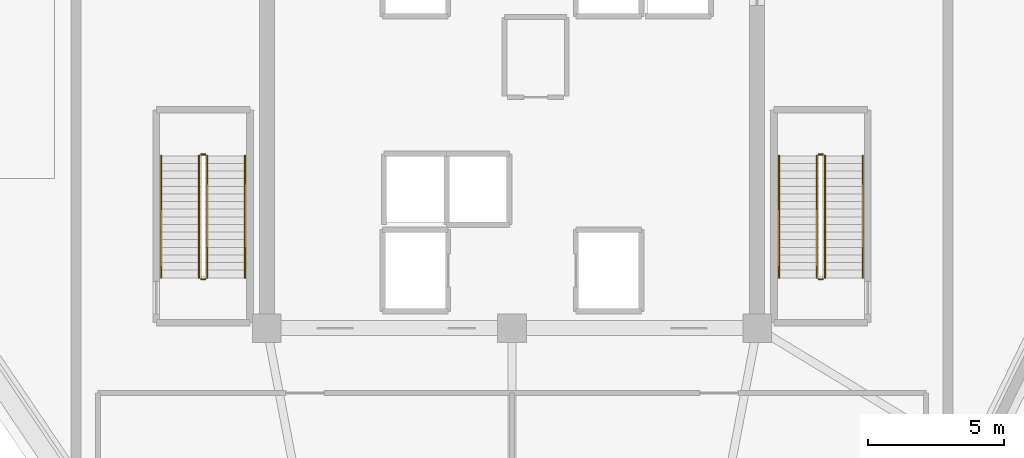
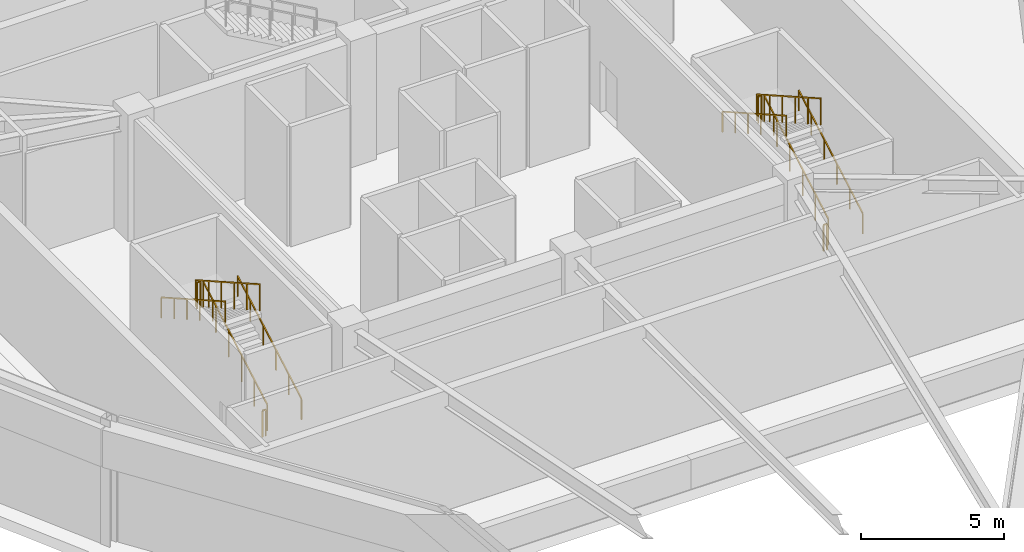
# One storey, part 7 of 8: 12 railings.
"""IFC4 building model written with IfcOpenShell, lengths in metres."""

from ifc_helpers import new_model, si_unit, direction, frame, origin, origin_2d, place, context, subcontext, project, spatial, rectangle, extrude, material, type_object, element, save


model = new_model("IFC4")

# Units and contexts
model_context = context("Model", 3, precision=1e-05, world=origin(), true_north=direction((0.0, 1.0)))
body_context = subcontext(model_context, "Body", "Model", "MODEL_VIEW")
ifc_project = project(units=[si_unit("LENGTHUNIT", "METRE"), si_unit("AREAUNIT", "SQUARE_METRE"), si_unit("VOLUMEUNIT", "CUBIC_METRE"), si_unit("PLANEANGLEUNIT", "RADIAN"), si_unit("MASSUNIT", "GRAM", prefix="KILO")], contexts=[model_context])

# Site, building, storey
site_placement = place(None, origin())
site = spatial("IfcSite", under=ifc_project, at=site_placement, CompositionType="ELEMENT")
building_placement = place(site_placement, origin())
building = spatial("IfcBuilding", under=site, at=building_placement, Name="Liaohun Quay Tower", CompositionType="ELEMENT")
storey_placement = place(building_placement, frame((0.0, 0.0, 360.60009765625)))
storey = spatial("IfcBuildingStorey", under=building, at=storey_placement, Name="L93", CompositionType="ELEMENT", Elevation=360.60009765625)

# Railings
ifc_material_1 = material(Name="Painted tubular steel", Category="steel")
railing_type_1 = type_object("IfcRailingType", Name="RLG-GUARD-STR", PredefinedType="GUARDRAIL", material=ifc_material_1)
railing_1_placement = place(storey_placement, frame((48.81005859375, 48.35009765625, 0.15869140625)))
element("IfcRailing", 1, at=railing_1_placement, inside=storey, type_object=railing_type_1, Name="L93 ST-1 stair guard 1", PredefinedType="GUARDRAIL", context=body_context, shape_type="SweptSolid", body=[
    extrude(rectangle(XDim=0.048095703125, YDim=0.048095703125, at=origin_2d()), frame((0.0, 0.0, 1.1259765625), z_axis=(0.0, 0.869805229919, 0.49339523914), x_axis=(-1.0, 0.0, 0.0)), (0.0, 0.0, 1.0), 5.150634765625),
    extrude(rectangle(XDim=0.0419921875, YDim=0.0419921875, at=origin_2d()), origin(), (0.0, 0.0, 1.0), 1.101806640625),
    extrude(rectangle(XDim=0.0419921875, YDim=0.0419921875, at=origin_2d()), frame((0.0, 0.89599609375, 0.50830078125)), (0.0, 0.0, 1.0), 1.101806640625),
    extrude(rectangle(XDim=0.0419921875, YDim=0.0419921875, at=origin_2d()), frame((0.0, 1.7919921875, 1.0166015625)), (0.0, 0.0, 1.0), 1.101806640625),
    extrude(rectangle(XDim=0.0419921875, YDim=0.0419921875, at=origin_2d()), frame((0.0, 2.68798828125, 1.524658203125)), (0.0, 0.0, 1.0), 1.101806640625),
    extrude(rectangle(XDim=0.0419921875, YDim=0.0419921875, at=origin_2d()), frame((0.0, 3.583984375, 2.032958984375)), (0.0, 0.0, 1.0), 1.101806640625),
    extrude(rectangle(XDim=0.0419921875, YDim=0.0419921875, at=origin_2d()), frame((0.0, 4.47998046875, 2.541259765625)), (0.0, 0.0, 1.0), 1.101806640625),
])
railing_2_placement = place(storey_placement, frame((48.72998046875, 52.8798828125, 2.699951171875)))
element("IfcRailing", 2, at=railing_2_placement, inside=storey, type_object=railing_type_1, Name="L93 ST-1 stair guard 2", PredefinedType="GUARDRAIL", context=body_context, shape_type="SweptSolid", body=[
    extrude(rectangle(XDim=0.048095703125, YDim=0.048095703125, at=origin_2d()), frame((0.0, 0.0, 1.1259765625), z_axis=(-1.0, 0.0, 0.0), x_axis=(0.0, -1.0, 0.0)), (0.0, 0.0, 1.0), 0.139892578125),
    extrude(rectangle(XDim=0.0419921875, YDim=0.0419921875, at=origin_2d()), origin(), (0.0, 0.0, 1.0), 1.101806640625),
    extrude(rectangle(XDim=0.0419921875, YDim=0.0419921875, at=origin_2d()), frame((-0.139892578125, 0.0, 0.0)), (0.0, 0.0, 1.0), 1.101806640625),
])
railing_3_placement = place(storey_placement, frame((48.510009765625, 52.830078125, 2.858642578125)))
element("IfcRailing", 3, at=railing_3_placement, inside=storey, type_object=railing_type_1, Name="L93 ST-1 stair guard 3", PredefinedType="GUARDRAIL", context=body_context, shape_type="SweptSolid", body=[
    extrude(rectangle(XDim=0.048095703125, YDim=0.048095703125, at=origin_2d()), frame((0.0, 0.0, 1.1259765625), z_axis=(0.0, -0.869805229919, 0.49339523914), x_axis=(1.0, 0.0, 0.0)), (0.0, 0.0, 1.0), 5.150634765625),
    extrude(rectangle(XDim=0.0419921875, YDim=0.0419921875, at=origin_2d()), origin(), (0.0, 0.0, 1.0), 1.101806640625),
    extrude(rectangle(XDim=0.0419921875, YDim=0.0419921875, at=origin_2d()), frame((0.0, -0.89599609375, 0.50830078125)), (0.0, 0.0, 1.0), 1.101806640625),
    extrude(rectangle(XDim=0.0419921875, YDim=0.0419921875, at=origin_2d()), frame((0.0, -1.7919921875, 1.0166015625)), (0.0, 0.0, 1.0), 1.101806640625),
    extrude(rectangle(XDim=0.0419921875, YDim=0.0419921875, at=origin_2d()), frame((0.0, -2.68798828125, 1.524658203125)), (0.0, 0.0, 1.0), 1.101806640625),
    extrude(rectangle(XDim=0.0419921875, YDim=0.0419921875, at=origin_2d()), frame((0.0, -3.583984375, 2.032958984375)), (0.0, 0.0, 1.0), 1.101806640625),
    extrude(rectangle(XDim=0.0419921875, YDim=0.0419921875, at=origin_2d()), frame((0.0, -4.47998046875, 2.541259765625)), (0.0, 0.0, 1.0), 1.101806640625),
])
railing_4_placement = place(storey_placement, frame((48.72998046875, 48.300048828125, 0.0)))
element("IfcRailing", 4, at=railing_4_placement, inside=storey, type_object=railing_type_1, Name="L93 ST-1 stair guard 4", PredefinedType="GUARDRAIL", context=body_context, shape_type="SweptSolid", body=[
    extrude(rectangle(XDim=0.048095703125, YDim=0.048095703125, at=origin_2d()), frame((0.0, 0.0, 1.1259765625), z_axis=(-1.0, 0.0, 0.0), x_axis=(0.0, -1.0, 0.0)), (0.0, 0.0, 1.0), 0.139892578125),
    extrude(rectangle(XDim=0.0419921875, YDim=0.0419921875, at=origin_2d()), origin(), (0.0, 0.0, 1.0), 1.101806640625),
    extrude(rectangle(XDim=0.0419921875, YDim=0.0419921875, at=origin_2d()), frame((-0.139892578125, 0.0, 0.0)), (0.0, 0.0, 1.0), 1.101806640625),
])
railing_5_placement = place(storey_placement, frame((71.489990234375, 48.35009765625, 0.15869140625)))
element("IfcRailing", 5, at=railing_5_placement, inside=storey, type_object=railing_type_1, Name="L93 ST-2 stair guard 1", PredefinedType="GUARDRAIL", context=body_context, shape_type="SweptSolid", body=[
    extrude(rectangle(XDim=0.048095703125, YDim=0.048095703125, at=origin_2d()), frame((0.0, 0.0, 1.1259765625), z_axis=(0.0, 0.869805229919, 0.49339523914), x_axis=(-1.0, 0.0, 0.0)), (0.0, 0.0, 1.0), 5.150634765625),
    extrude(rectangle(XDim=0.0419921875, YDim=0.0419921875, at=origin_2d()), origin(), (0.0, 0.0, 1.0), 1.101806640625),
    extrude(rectangle(XDim=0.0419921875, YDim=0.0419921875, at=origin_2d()), frame((0.0, 0.89599609375, 0.50830078125)), (0.0, 0.0, 1.0), 1.101806640625),
    extrude(rectangle(XDim=0.0419921875, YDim=0.0419921875, at=origin_2d()), frame((0.0, 1.7919921875, 1.0166015625)), (0.0, 0.0, 1.0), 1.101806640625),
    extrude(rectangle(XDim=0.0419921875, YDim=0.0419921875, at=origin_2d()), frame((0.0, 2.68798828125, 1.524658203125)), (0.0, 0.0, 1.0), 1.101806640625),
    extrude(rectangle(XDim=0.0419921875, YDim=0.0419921875, at=origin_2d()), frame((0.0, 3.583984375, 2.032958984375)), (0.0, 0.0, 1.0), 1.101806640625),
    extrude(rectangle(XDim=0.0419921875, YDim=0.0419921875, at=origin_2d()), frame((0.0, 4.47998046875, 2.541259765625)), (0.0, 0.0, 1.0), 1.101806640625),
])
railing_6_placement = place(storey_placement, frame((71.409912109375, 52.8798828125, 2.699951171875)))
element("IfcRailing", 6, at=railing_6_placement, inside=storey, type_object=railing_type_1, Name="L93 ST-2 stair guard 2", PredefinedType="GUARDRAIL", context=body_context, shape_type="SweptSolid", body=[
    extrude(rectangle(XDim=0.048095703125, YDim=0.048095703125, at=origin_2d()), frame((0.0, 0.0, 1.1259765625), z_axis=(-1.0, 0.0, 0.0), x_axis=(0.0, -1.0, 0.0)), (0.0, 0.0, 1.0), 0.139892578125),
    extrude(rectangle(XDim=0.0419921875, YDim=0.0419921875, at=origin_2d()), origin(), (0.0, 0.0, 1.0), 1.101806640625),
    extrude(rectangle(XDim=0.0419921875, YDim=0.0419921875, at=origin_2d()), frame((-0.139892578125, 0.0, 0.0)), (0.0, 0.0, 1.0), 1.101806640625),
])
railing_7_placement = place(storey_placement, frame((71.18994140625, 52.830078125, 2.858642578125)))
element("IfcRailing", 7, at=railing_7_placement, inside=storey, type_object=railing_type_1, Name="L93 ST-2 stair guard 3", PredefinedType="GUARDRAIL", context=body_context, shape_type="SweptSolid", body=[
    extrude(rectangle(XDim=0.048095703125, YDim=0.048095703125, at=origin_2d()), frame((0.0, 0.0, 1.1259765625), z_axis=(0.0, -0.869805229919, 0.49339523914), x_axis=(1.0, 0.0, 0.0)), (0.0, 0.0, 1.0), 5.150634765625),
    extrude(rectangle(XDim=0.0419921875, YDim=0.0419921875, at=origin_2d()), origin(), (0.0, 0.0, 1.0), 1.101806640625),
    extrude(rectangle(XDim=0.0419921875, YDim=0.0419921875, at=origin_2d()), frame((0.0, -0.89599609375, 0.50830078125)), (0.0, 0.0, 1.0), 1.101806640625),
    extrude(rectangle(XDim=0.0419921875, YDim=0.0419921875, at=origin_2d()), frame((0.0, -1.7919921875, 1.0166015625)), (0.0, 0.0, 1.0), 1.101806640625),
    extrude(rectangle(XDim=0.0419921875, YDim=0.0419921875, at=origin_2d()), frame((0.0, -2.68798828125, 1.524658203125)), (0.0, 0.0, 1.0), 1.101806640625),
    extrude(rectangle(XDim=0.0419921875, YDim=0.0419921875, at=origin_2d()), frame((0.0, -3.583984375, 2.032958984375)), (0.0, 0.0, 1.0), 1.101806640625),
    extrude(rectangle(XDim=0.0419921875, YDim=0.0419921875, at=origin_2d()), frame((0.0, -4.47998046875, 2.541259765625)), (0.0, 0.0, 1.0), 1.101806640625),
])
railing_8_placement = place(storey_placement, frame((71.409912109375, 48.300048828125, 0.0)))
element("IfcRailing", 8, at=railing_8_placement, inside=storey, type_object=railing_type_1, Name="L93 ST-2 stair guard 4", PredefinedType="GUARDRAIL", context=body_context, shape_type="SweptSolid", body=[
    extrude(rectangle(XDim=0.048095703125, YDim=0.048095703125, at=origin_2d()), frame((0.0, 0.0, 1.1259765625), z_axis=(-1.0, 0.0, 0.0), x_axis=(0.0, -1.0, 0.0)), (0.0, 0.0, 1.0), 0.139892578125),
    extrude(rectangle(XDim=0.0419921875, YDim=0.0419921875, at=origin_2d()), origin(), (0.0, 0.0, 1.0), 1.101806640625),
    extrude(rectangle(XDim=0.0419921875, YDim=0.0419921875, at=origin_2d()), frame((-0.139892578125, 0.0, 0.0)), (0.0, 0.0, 1.0), 1.101806640625),
])
ifc_material_2 = material(Name="Brushed stainless steel", Category="steel")
railing_type_2 = type_object("IfcRailingType", Name="RLG-HND-STR", PredefinedType="HANDRAIL", material=ifc_material_2)
railing_9_placement = place(storey_placement, frame((50.199951171875, 48.35009765625, 0.15869140625)))
element("IfcRailing", 9, at=railing_9_placement, inside=storey, type_object=railing_type_2, Name="L93 ST-1 stair handrail 1", PredefinedType="HANDRAIL", context=body_context, shape_type="SweptSolid", body=[
    extrude(rectangle(XDim=0.048095703125, YDim=0.048095703125, at=origin_2d()), frame((0.0, 0.0, 0.8759765625), z_axis=(0.0, 0.869805229919, 0.49339523914), x_axis=(-1.0, 0.0, 0.0)), (0.0, 0.0, 1.0), 5.150634765625),
    extrude(rectangle(XDim=0.0419921875, YDim=0.0419921875, at=origin_2d()), origin(), (0.0, 0.0, 1.0), 0.851806640625),
    extrude(rectangle(XDim=0.0419921875, YDim=0.0419921875, at=origin_2d()), frame((0.0, 0.89599609375, 0.50830078125)), (0.0, 0.0, 1.0), 0.851806640625),
    extrude(rectangle(XDim=0.0419921875, YDim=0.0419921875, at=origin_2d()), frame((0.0, 1.7919921875, 1.0166015625)), (0.0, 0.0, 1.0), 0.851806640625),
    extrude(rectangle(XDim=0.0419921875, YDim=0.0419921875, at=origin_2d()), frame((0.0, 2.68798828125, 1.524658203125)), (0.0, 0.0, 1.0), 0.851806640625),
    extrude(rectangle(XDim=0.0419921875, YDim=0.0419921875, at=origin_2d()), frame((0.0, 3.583984375, 2.032958984375)), (0.0, 0.0, 1.0), 0.851806640625),
    extrude(rectangle(XDim=0.0419921875, YDim=0.0419921875, at=origin_2d()), frame((0.0, 4.47998046875, 2.541259765625)), (0.0, 0.0, 1.0), 0.851806640625),
])
railing_10_placement = place(storey_placement, frame((47.1201171875, 52.830078125, 2.858642578125)))
element("IfcRailing", 10, at=railing_10_placement, inside=storey, type_object=railing_type_2, Name="L93 ST-1 stair handrail 2", PredefinedType="HANDRAIL", context=body_context, shape_type="SweptSolid", body=[
    extrude(rectangle(XDim=0.048095703125, YDim=0.048095703125, at=origin_2d()), frame((0.0, 0.0, 0.8759765625), z_axis=(0.0, -0.869805229919, 0.49339523914), x_axis=(1.0, 0.0, 0.0)), (0.0, 0.0, 1.0), 5.150634765625),
    extrude(rectangle(XDim=0.0419921875, YDim=0.0419921875, at=origin_2d()), origin(), (0.0, 0.0, 1.0), 0.851806640625),
    extrude(rectangle(XDim=0.0419921875, YDim=0.0419921875, at=origin_2d()), frame((0.0, -0.89599609375, 0.50830078125)), (0.0, 0.0, 1.0), 0.851806640625),
    extrude(rectangle(XDim=0.0419921875, YDim=0.0419921875, at=origin_2d()), frame((0.0, -1.7919921875, 1.0166015625)), (0.0, 0.0, 1.0), 0.851806640625),
    extrude(rectangle(XDim=0.0419921875, YDim=0.0419921875, at=origin_2d()), frame((0.0, -2.68798828125, 1.524658203125)), (0.0, 0.0, 1.0), 0.851806640625),
    extrude(rectangle(XDim=0.0419921875, YDim=0.0419921875, at=origin_2d()), frame((0.0, -3.583984375, 2.032958984375)), (0.0, 0.0, 1.0), 0.851806640625),
    extrude(rectangle(XDim=0.0419921875, YDim=0.0419921875, at=origin_2d()), frame((0.0, -4.47998046875, 2.541259765625)), (0.0, 0.0, 1.0), 0.851806640625),
])
railing_11_placement = place(storey_placement, frame((72.8798828125, 48.35009765625, 0.15869140625)))
element("IfcRailing", 11, at=railing_11_placement, inside=storey, type_object=railing_type_2, Name="L93 ST-2 stair handrail 1", PredefinedType="HANDRAIL", context=body_context, shape_type="SweptSolid", body=[
    extrude(rectangle(XDim=0.048095703125, YDim=0.048095703125, at=origin_2d()), frame((0.0, 0.0, 0.8759765625), z_axis=(0.0, 0.869805229919, 0.49339523914), x_axis=(-1.0, 0.0, 0.0)), (0.0, 0.0, 1.0), 5.150634765625),
    extrude(rectangle(XDim=0.0419921875, YDim=0.0419921875, at=origin_2d()), origin(), (0.0, 0.0, 1.0), 0.851806640625),
    extrude(rectangle(XDim=0.0419921875, YDim=0.0419921875, at=origin_2d()), frame((0.0, 0.89599609375, 0.50830078125)), (0.0, 0.0, 1.0), 0.851806640625),
    extrude(rectangle(XDim=0.0419921875, YDim=0.0419921875, at=origin_2d()), frame((0.0, 1.7919921875, 1.0166015625)), (0.0, 0.0, 1.0), 0.851806640625),
    extrude(rectangle(XDim=0.0419921875, YDim=0.0419921875, at=origin_2d()), frame((0.0, 2.68798828125, 1.524658203125)), (0.0, 0.0, 1.0), 0.851806640625),
    extrude(rectangle(XDim=0.0419921875, YDim=0.0419921875, at=origin_2d()), frame((0.0, 3.583984375, 2.032958984375)), (0.0, 0.0, 1.0), 0.851806640625),
    extrude(rectangle(XDim=0.0419921875, YDim=0.0419921875, at=origin_2d()), frame((0.0, 4.47998046875, 2.541259765625)), (0.0, 0.0, 1.0), 0.851806640625),
])
railing_12_placement = place(storey_placement, frame((69.800048828125, 52.830078125, 2.858642578125)))
element("IfcRailing", 12, at=railing_12_placement, inside=storey, type_object=railing_type_2, Name="L93 ST-2 stair handrail 2", PredefinedType="HANDRAIL", context=body_context, shape_type="SweptSolid", body=[
    extrude(rectangle(XDim=0.048095703125, YDim=0.048095703125, at=origin_2d()), frame((0.0, 0.0, 0.8759765625), z_axis=(0.0, -0.869805229919, 0.49339523914), x_axis=(1.0, 0.0, 0.0)), (0.0, 0.0, 1.0), 5.150634765625),
    extrude(rectangle(XDim=0.0419921875, YDim=0.0419921875, at=origin_2d()), origin(), (0.0, 0.0, 1.0), 0.851806640625),
    extrude(rectangle(XDim=0.0419921875, YDim=0.0419921875, at=origin_2d()), frame((0.0, -0.89599609375, 0.50830078125)), (0.0, 0.0, 1.0), 0.851806640625),
    extrude(rectangle(XDim=0.0419921875, YDim=0.0419921875, at=origin_2d()), frame((0.0, -1.7919921875, 1.0166015625)), (0.0, 0.0, 1.0), 0.851806640625),
    extrude(rectangle(XDim=0.0419921875, YDim=0.0419921875, at=origin_2d()), frame((0.0, -2.68798828125, 1.524658203125)), (0.0, 0.0, 1.0), 0.851806640625),
    extrude(rectangle(XDim=0.0419921875, YDim=0.0419921875, at=origin_2d()), frame((0.0, -3.583984375, 2.032958984375)), (0.0, 0.0, 1.0), 0.851806640625),
    extrude(rectangle(XDim=0.0419921875, YDim=0.0419921875, at=origin_2d()), frame((0.0, -4.47998046875, 2.541259765625)), (0.0, 0.0, 1.0), 0.851806640625),
])

save(model, "model.ifc")
